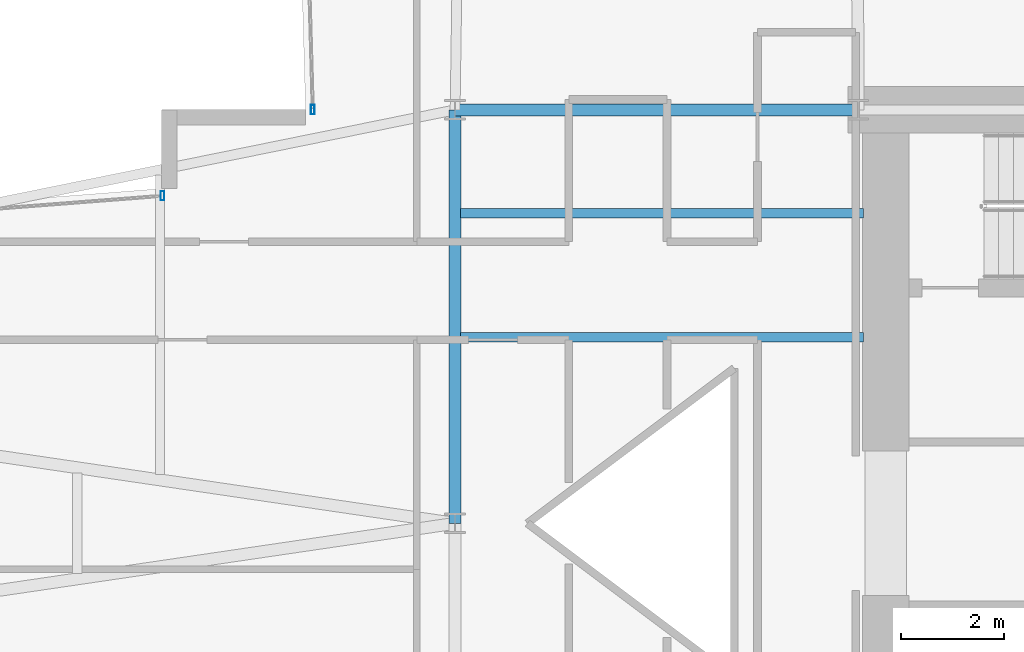
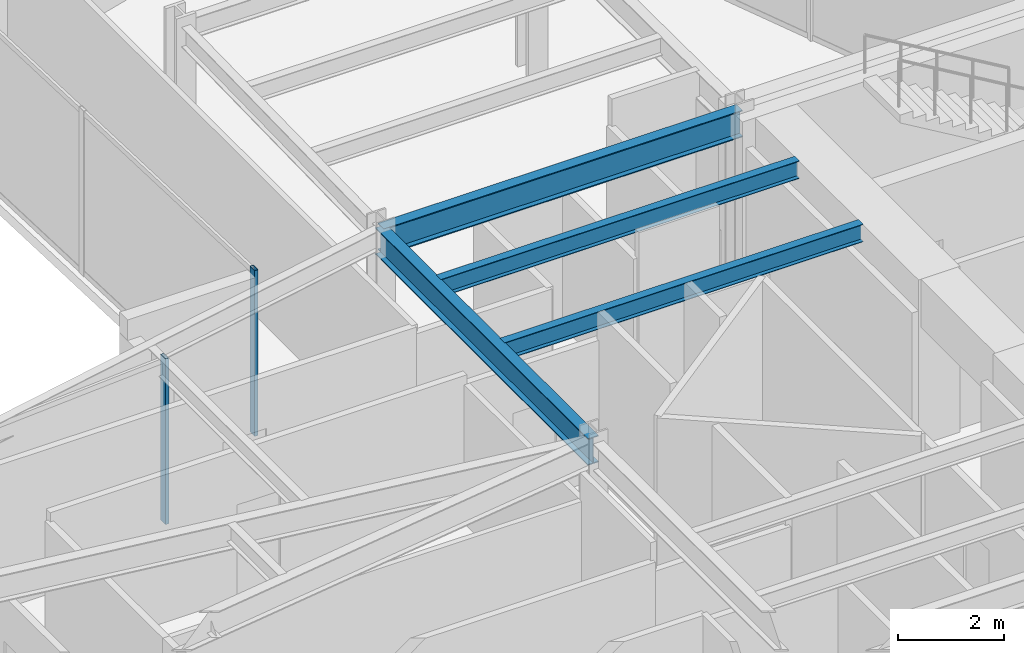
# One storey, part 12 of 30: 4 beams, 2 members, 2 elements without a shape of their own.
"""IFC4 building model written with IfcOpenShell, lengths in metres."""

from ifc_helpers import new_model, si_unit, direction, frame, origin, origin_2d, place, context, subcontext, project, spatial, hollow_rectangle, i_section, extrude, material, layer, layer_set, material_profile, profile_set, type_object, element, aggregate, save


model = new_model("IFC4")

# Units and contexts
model_context = context("Model", 3, precision=1e-05, world=origin(), true_north=direction((0.0, 1.0)))
body_context = subcontext(model_context, "Body", "Model", "MODEL_VIEW")
ifc_project = project(units=[si_unit("LENGTHUNIT", "METRE"), si_unit("AREAUNIT", "SQUARE_METRE"), si_unit("VOLUMEUNIT", "CUBIC_METRE"), si_unit("PLANEANGLEUNIT", "RADIAN"), si_unit("MASSUNIT", "GRAM", prefix="KILO")], contexts=[model_context])

# Site, building, storey
site_placement = place(None, origin())
site = spatial("IfcSite", under=ifc_project, at=site_placement, CompositionType="ELEMENT")
building_placement = place(site_placement, origin())
building = spatial("IfcBuilding", under=site, at=building_placement, Name="Veymaron Broadcast Tower", CompositionType="ELEMENT")
storey_placement = place(building_placement, frame((0.0, 0.0, 49.949951171875)))
storey = spatial("IfcBuildingStorey", under=building, at=storey_placement, Name="L10", CompositionType="ELEMENT", Elevation=49.949951171875)

# Beams
ifc_material_1 = material(Name="Structural steel ASTM A992 Gr 50", Category="steel")
ifc_material_profile_1 = material_profile(ifc_material_1, i_section(OverallWidth=0.22998046875, OverallDepth=0.616943359375, WebThickness=0.01318359375, FlangeThickness=0.022216796875, at=origin_2d()), Name="W610X140")
ifc_profile_set_1 = profile_set([ifc_material_profile_1], Name="Structural steel ASTM A992 Gr 50")
beam_type_1 = type_object("IfcBeamType", Name="BM-FG1", PredefinedType="BEAM", material=ifc_profile_set_1)
beam_1_placement = place(storey_placement, frame((31.199951171875, 24.0, 3.50146484375), z_axis=(0.0, 1.0, 0.0), x_axis=(-1.0, 0.0, 0.0)))
element("IfcBeam", 1, at=beam_1_placement, inside=storey, type_object=beam_type_1, Name="L10 primary structural floor girder", PredefinedType="BEAM", context=body_context, shape_type="SweptSolid", body=[
    extrude(i_section(OverallWidth=0.22998046875, OverallDepth=0.616943359375, WebThickness=0.01318359375, FlangeThickness=0.022216796875, at=origin_2d()), origin(), (0.0, 0.0, 1.0), 8.0),
])
beam_2_placement = place(storey_placement, frame((31.199951171875, 32.0, 3.50146484375), z_axis=(1.0, 0.0, 0.0), x_axis=(0.0, 1.0, 0.0)))
element("IfcBeam", 2, at=beam_2_placement, inside=storey, type_object=beam_type_1, Name="L10 primary structural floor girder", PredefinedType="BEAM", context=body_context, shape_type="SweptSolid", body=[
    extrude(i_section(OverallWidth=0.22998046875, OverallDepth=0.616943359375, WebThickness=0.01318359375, FlangeThickness=0.022216796875, at=origin_2d()), origin(), (0.0, 0.0, 1.0), 7.800048828125),
])
ifc_material_profile_2 = material_profile(ifc_material_1, i_section(OverallWidth=0.177978515625, OverallDepth=0.406982421875, WebThickness=0.0078125, FlangeThickness=0.0126953125, at=origin_2d()), Name="W410X60")
ifc_profile_set_2 = profile_set([ifc_material_profile_2], Name="Structural steel ASTM A992 Gr 50")
beam_type_2 = type_object("IfcBeamType", Name="BM-JS1", PredefinedType="JOIST", material=ifc_profile_set_2)
for number, where, z_axis, x_axis, name in (
    (3, (31.300048828125, 27.60009765625, 3.6064453125), (1.0, 0.0, 0.0), (0.0, 1.0, 0.0), "L10 Hub secondary joist 3"),
    (4, (31.300048828125, 30.0, 3.6064453125), (1.0, 0.0, 0.0), (0.0, 1.0, 0.0), "L10 Hub secondary joist 4"),
):
    element("IfcBeam", number, at=place(storey_placement, frame(where, z_axis=z_axis, x_axis=x_axis)), inside=storey, type_object=beam_type_2, Name=name, PredefinedType="JOIST", context=body_context, shape_type="SweptSolid", body=[
        extrude(i_section(OverallWidth=0.177978515625, OverallDepth=0.406982421875, WebThickness=0.0078125, FlangeThickness=0.0126953125, at=origin_2d()), origin(), (0.0, 0.0, 1.0), 7.800048828125),
    ])

# Curtain wall, member
ifc_material_2 = material(Name="Anodised aluminium AA 6063-T6 and laminated low-E dark glass", Category="aluminium")
ifc_layer = layer(ifc_material_2, 0.179931640625)
ifc_layer_set = layer_set([ifc_layer], Name="Anodised aluminium AA 6063-T6 and laminated low-E dark glass")
curtain_wall_type = type_object("IfcCurtainWallType", Name="CW-SYS-02", PredefinedType="NOTDEFINED", material=ifc_layer_set)
curtain_wall_1_placement = place(storey_placement, origin())
curtain_wall_1 = element("IfcCurtainWall", 5, at=curtain_wall_1_placement, inside=storey, type_object=curtain_wall_type, Name="L10 dark-glass curtain wall CW-L10-E8-1", PredefinedType="NOTDEFINED")
ifc_material_3 = material(Name="Anodised aluminium AA 6063-T6", Category="aluminium")
ifc_material_profile_3 = material_profile(ifc_material_3, hollow_rectangle(XDim=0.074951171875, YDim=0.179931640625, WallThickness=0.0048828125, at=origin_2d()), Name="AL180X75X5")
ifc_profile_set_3 = profile_set([ifc_material_profile_3], Name="Anodised aluminium AA 6063-T6")
member_type = type_object("IfcMemberType", Name="CW-MUL-02", PredefinedType="MULLION", material=ifc_profile_set_3)
member_1_placement = place(storey_placement, frame((28.4453125, 32.00390625, 0.0), z_axis=(0.0, 0.0, 1.0), x_axis=(1.0, 0.0, 0.0)))
member_1 = element("IfcMember", 6, at=member_1_placement, type_object=member_type, Name="CW-L10-E8-1 mullion 2", PredefinedType="MULLION", context=body_context, shape_type="SweptSolid", body=[
    extrude(hollow_rectangle(XDim=0.074951171875, YDim=0.179931640625, WallThickness=0.0048828125, at=origin_2d()), origin(), (0.0, 0.0, 1.0), 3.81005859375),
])
aggregate(curtain_wall_1, [member_1])

curtain_wall_2_placement = place(storey_placement, origin())
curtain_wall_2 = element("IfcCurtainWall", 7, at=curtain_wall_2_placement, inside=storey, type_object=curtain_wall_type, Name="L10 dark-glass curtain wall CW-L10-E11-1", PredefinedType="NOTDEFINED")
member_2_placement = place(storey_placement, frame((25.538818359375, 30.33642578125, 0.0), z_axis=(0.0, 0.0, 1.0), x_axis=(1.0, 0.0, 0.0)))
member_2 = element("IfcMember", 8, at=member_2_placement, type_object=member_type, Name="CW-L10-E11-1 mullion 0", PredefinedType="MULLION", context=body_context, shape_type="SweptSolid", body=[
    extrude(hollow_rectangle(XDim=0.074951171875, YDim=0.179931640625, WallThickness=0.0048828125, at=origin_2d()), origin(), (0.0, 0.0, 1.0), 3.81005859375),
])
aggregate(curtain_wall_2, [member_2])

save(model, "model.ifc")
